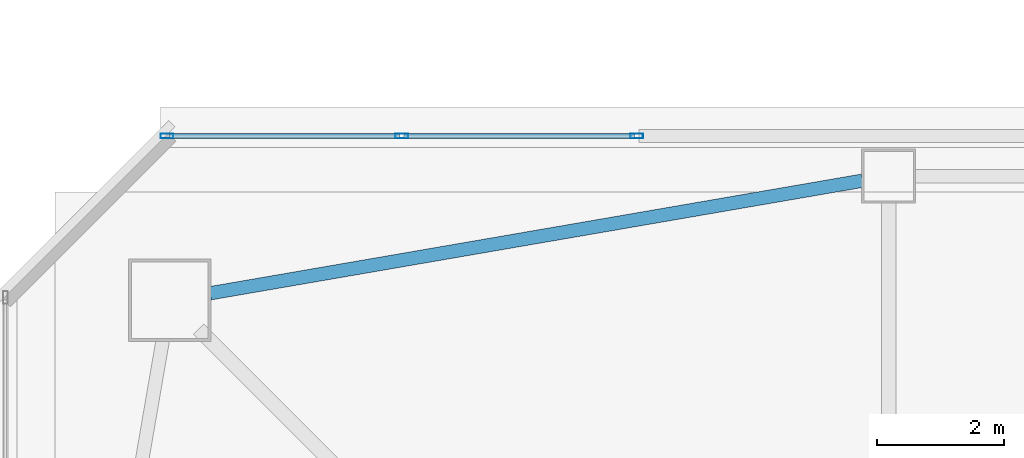
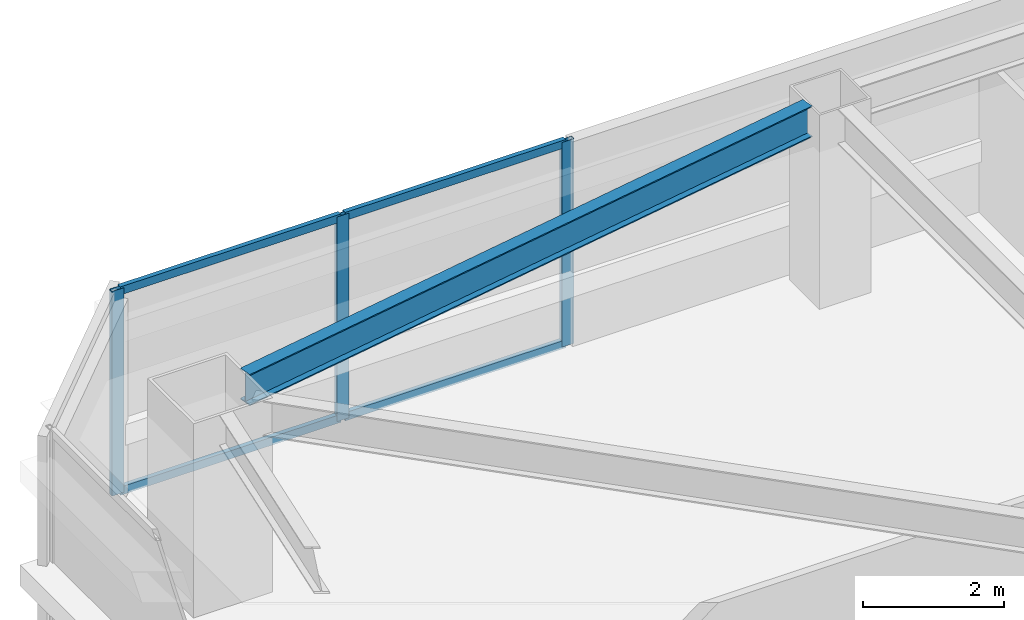
# One storey, part 13 of 44: 7 members, 1 beam, 1 element without a shape of its own.
"""IFC4 building model written with IfcOpenShell, lengths in metres."""

from ifc_helpers import new_model, si_unit, direction, frame, origin, origin_2d, place, context, subcontext, project, spatial, hollow_rectangle, i_section, extrude, material, material_profile, profile_set, type_object, element, aggregate, save


model = new_model("IFC4")

# Units and contexts
model_context = context("Model", 3, precision=1e-05, world=origin(), true_north=direction((0.0, 1.0)))
body_context = subcontext(model_context, "Body", "Model", "MODEL_VIEW")
ifc_project = project(units=[si_unit("LENGTHUNIT", "METRE"), si_unit("AREAUNIT", "SQUARE_METRE"), si_unit("VOLUMEUNIT", "CUBIC_METRE"), si_unit("PLANEANGLEUNIT", "RADIAN"), si_unit("MASSUNIT", "GRAM", prefix="KILO")], contexts=[model_context])

# Site, building, storey
site_placement = place(None, origin())
site = spatial("IfcSite", under=ifc_project, at=site_placement, CompositionType="ELEMENT")
building_placement = place(site_placement, origin())
building = spatial("IfcBuilding", under=site, at=building_placement, Name="Tashvorn Skyway Center", CompositionType="ELEMENT")
storey_placement = place(building_placement, frame((0.0, 0.0, 128.60009765625)))
storey = spatial("IfcBuildingStorey", under=building, at=storey_placement, Name="L34", CompositionType="ELEMENT", Elevation=128.60009765625)

# Beam
ifc_material_1 = material(Name="Steel ASTM A992 Grade 50", Category="steel")
ifc_material_profile_1 = material_profile(ifc_material_1, i_section(OverallWidth=0.2109375, OverallDepth=0.5390625, WebThickness=0.01171875, FlangeThickness=0.018798828125, at=origin_2d()), Name="W21X73")
ifc_profile_set_1 = profile_set([ifc_material_profile_1], Name="Steel ASTM A992 Grade 50")
beam_type = type_object("IfcBeamType", Name="BM-SPANDREL-W21X73", PredefinedType="SPANDREL", material=ifc_profile_set_1)
beam_placement = place(storey_placement, frame((36.18603515625, 50.57861328125, 3.100341796875), z_axis=(-0.985432458462, -0.170067250846, 0.0), x_axis=(0.170067250846, -0.985432458462, 0.0)))
element("IfcBeam", 1, at=beam_placement, inside=storey, type_object=beam_type, Name="Tower 1 L34 Spandrel Beam 09", PredefinedType="SPANDREL", context=body_context, shape_type="SweptSolid", body=[
    extrude(i_section(OverallWidth=0.2109375, OverallDepth=0.5390625, WebThickness=0.01171875, FlangeThickness=0.018798828125, at=origin_2d()), origin(), (0.0, 0.0, 1.0), 10.402099609375),
])

# Curtain wall, members
ifc_material_2 = material(Name="Thermally broken bronze-anodized aluminium 6063-T6", Category="aluminium")
curtain_wall_type = type_object("IfcCurtainWallType", Name="CW-CW-Z3", PredefinedType="NOTDEFINED", material=ifc_material_2)
curtain_wall_placement = place(storey_placement, origin())
curtain_wall = element("IfcCurtainWall", 2, at=curtain_wall_placement, inside=storey, type_object=curtain_wall_type, Name="Tower 1 L34 North Unitised Curtain Wall Glazing Group 1", PredefinedType="NOTDEFINED")
ifc_material_profile_2 = material_profile(ifc_material_2, hollow_rectangle(XDim=0.074951171875, YDim=0.199951171875, WallThickness=0.00439453125, at=origin_2d()), Name="ALU-MULL-75x200")
ifc_profile_set_2 = profile_set([ifc_material_profile_2], Name="Thermally broken bronze-anodized aluminium 6063-T6")
member_type_1 = type_object("IfcMemberType", Name="CWM-CW-Z3", PredefinedType="MULLION", material=ifc_profile_set_2)
member_1_placement = place(storey_placement, frame((25.257568359375, 51.280029296875, 0.0), z_axis=(0.0, 0.0, 1.0), x_axis=(0.0, 1.0, 0.0)))
member_1 = element("IfcMember", 3, at=member_1_placement, type_object=member_type_1, Name="CW-Z3 mullion 1", PredefinedType="MULLION", context=body_context, shape_type="SweptSolid", body=[
    extrude(hollow_rectangle(XDim=0.074951171875, YDim=0.199951171875, WallThickness=0.00439453125, at=origin_2d()), origin(), (0.0, 0.0, 1.0), 3.5498046875),
])
member_2_placement = place(storey_placement, frame((28.948974609375, 51.280029296875, 0.0), z_axis=(0.0, 0.0, 1.0), x_axis=(0.0, 1.0, 0.0)))
member_2 = element("IfcMember", 4, at=member_2_placement, type_object=member_type_1, Name="CW-Z3 mullion 2", PredefinedType="MULLION", context=body_context, shape_type="SweptSolid", body=[
    extrude(hollow_rectangle(XDim=0.074951171875, YDim=0.199951171875, WallThickness=0.00439453125, at=origin_2d()), origin(), (0.0, 0.0, 1.0), 3.5498046875),
])
member_3_placement = place(storey_placement, frame((32.640380859375, 51.280029296875, 0.0), z_axis=(0.0, 0.0, 1.0), x_axis=(0.0, 1.0, 0.0)))
member_3 = element("IfcMember", 5, at=member_3_placement, type_object=member_type_1, Name="CW-Z3 mullion 3", PredefinedType="MULLION", context=body_context, shape_type="SweptSolid", body=[
    extrude(hollow_rectangle(XDim=0.074951171875, YDim=0.199951171875, WallThickness=0.00439453125, at=origin_2d()), origin(), (0.0, 0.0, 1.0), 3.5498046875),
])
ifc_material_profile_3 = material_profile(ifc_material_2, hollow_rectangle(XDim=0.074951171875, YDim=0.139892578125, WallThickness=0.004150390625, at=origin_2d()), Name="ALU-TRAN-75x140")
ifc_profile_set_3 = profile_set([ifc_material_profile_3], Name="Thermally broken bronze-anodized aluminium 6063-T6")
member_type_2 = type_object("IfcMemberType", Name="CWT-CW-Z3", PredefinedType="USERDEFINED", material=ifc_profile_set_3)
member_4_placement = place(storey_placement, frame((25.294921875, 51.280029296875, 0.037353515625), z_axis=(1.0, 0.0, 0.0), x_axis=(0.0, 1.0, 0.0)))
member_4 = element("IfcMember", 6, at=member_4_placement, type_object=member_type_2, Name="CW-Z3 transom 1.1", ObjectType="TRANSOM", PredefinedType="USERDEFINED", context=body_context, shape_type="SweptSolid", body=[
    extrude(hollow_rectangle(XDim=0.074951171875, YDim=0.139892578125, WallThickness=0.004150390625, at=origin_2d()), origin(), (0.0, 0.0, 1.0), 3.616455078125),
])
member_5_placement = place(storey_placement, frame((25.294921875, 51.280029296875, 3.512451171875), z_axis=(1.0, 0.0, 0.0), x_axis=(0.0, 1.0, 0.0)))
member_5 = element("IfcMember", 7, at=member_5_placement, type_object=member_type_2, Name="CW-Z3 transom 1.2", ObjectType="TRANSOM", PredefinedType="USERDEFINED", context=body_context, shape_type="SweptSolid", body=[
    extrude(hollow_rectangle(XDim=0.074951171875, YDim=0.139892578125, WallThickness=0.004150390625, at=origin_2d()), origin(), (0.0, 0.0, 1.0), 3.616455078125),
])
member_6_placement = place(storey_placement, frame((28.986328125, 51.280029296875, 0.037353515625), z_axis=(1.0, 0.0, 0.0), x_axis=(0.0, 1.0, 0.0)))
member_6 = element("IfcMember", 8, at=member_6_placement, type_object=member_type_2, Name="CW-Z3 transom 2.1", ObjectType="TRANSOM", PredefinedType="USERDEFINED", context=body_context, shape_type="SweptSolid", body=[
    extrude(hollow_rectangle(XDim=0.074951171875, YDim=0.139892578125, WallThickness=0.004150390625, at=origin_2d()), origin(), (0.0, 0.0, 1.0), 3.616455078125),
])
member_7_placement = place(storey_placement, frame((28.986328125, 51.280029296875, 3.512451171875), z_axis=(1.0, 0.0, 0.0), x_axis=(0.0, 1.0, 0.0)))
member_7 = element("IfcMember", 9, at=member_7_placement, type_object=member_type_2, Name="CW-Z3 transom 2.2", ObjectType="TRANSOM", PredefinedType="USERDEFINED", context=body_context, shape_type="SweptSolid", body=[
    extrude(hollow_rectangle(XDim=0.074951171875, YDim=0.139892578125, WallThickness=0.004150390625, at=origin_2d()), origin(), (0.0, 0.0, 1.0), 3.616455078125),
])
aggregate(curtain_wall, [member_1, member_2, member_3, member_4, member_5, member_6, member_7])

save(model, "model.ifc")
